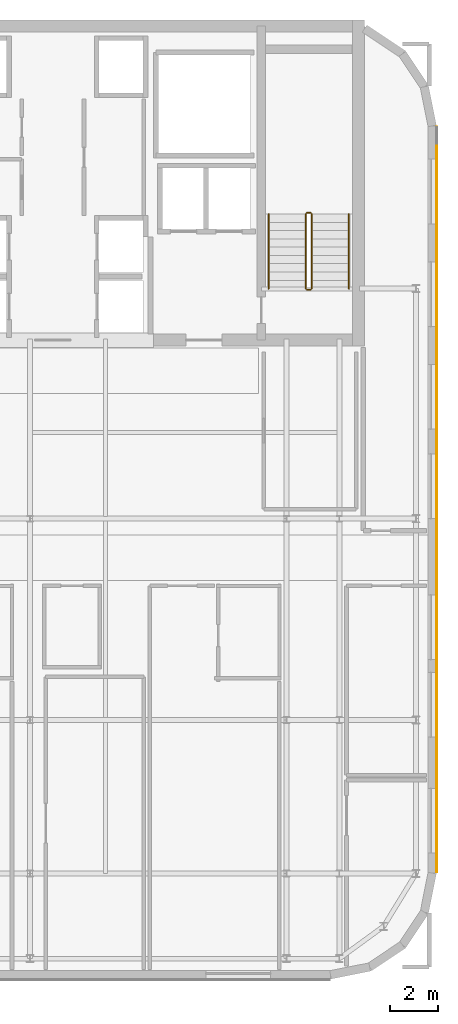
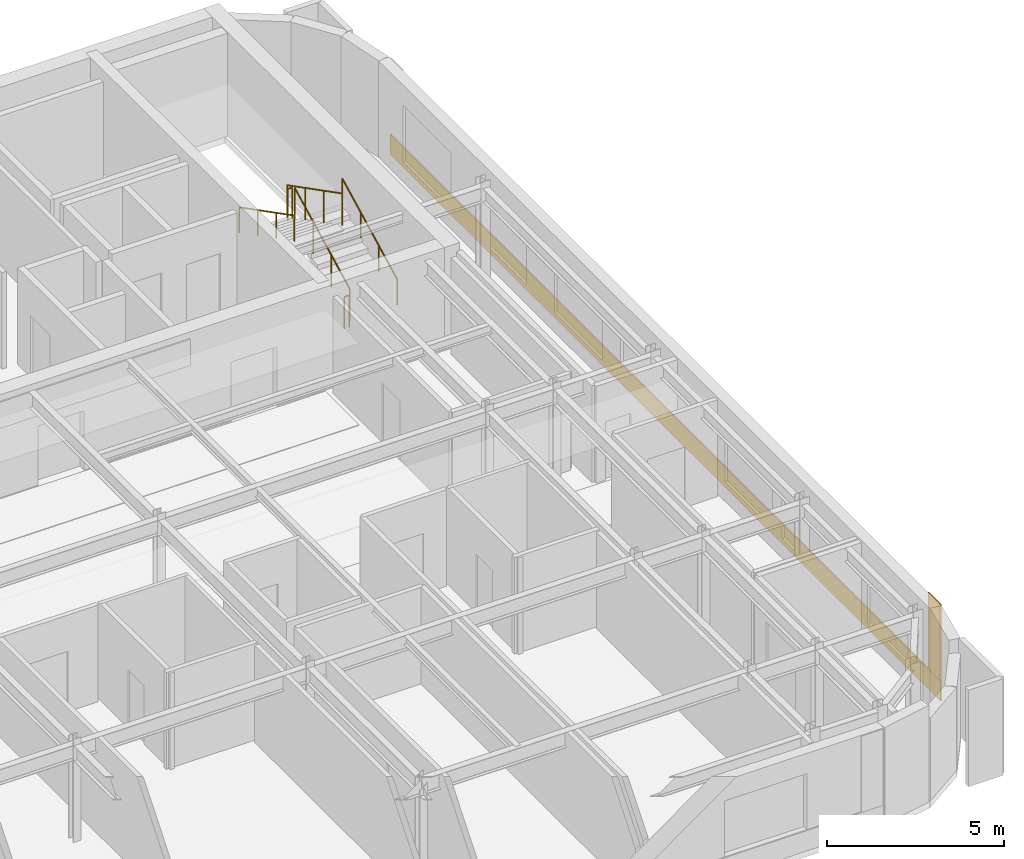
# One storey, part 14 of 15: 6 railings, 2 coverings.
"""IFC4 building model written with IfcOpenShell, lengths in metres."""

import ifcopenshell
import ifcopenshell.guid

model = None  # the IFC model being written
_history = None  # IfcOwnerHistory: only IFC2X3 demands one
_inside = {}  # id of a spatial element -> (the spatial element, [elements in it])
_under = {}  # id of a project, library or spatial element -> (it, [spatial elements below it])
_declared = {}  # id of a project -> (the project, [libraries it declares])
_typed = {}  # id of a type object -> (the type object, [elements of that type])
_made_of = {}  # id of a material, layer set ... -> (it, [elements and type objects made of it])


def new_model(schema):
    """Start an empty IFC model of exactly this schema.

    Asked for "IFC4X3", IfcOpenShell would pick the latest addendum, in which some entities
    have other attributes; the version numbers below select the first issue.
    IFC2X3 requires an IfcOwnerHistory on every rooted entity: one is made here for all.
    """
    global model, _history
    if schema == "IFC4X3":
        model = ifcopenshell.file(schema_version=(4, 3, 0, 0))
    else:
        model = ifcopenshell.file(schema=schema)
    _inside.clear()
    _under.clear()
    _declared.clear()
    _typed.clear()
    _made_of.clear()
    _history = None
    if model.schema == "IFC2X3":
        org = make("IfcOrganization", Name="unknown")
        user = make(
            "IfcPersonAndOrganization",
            ThePerson=make("IfcPerson", FamilyName="unknown"),
            TheOrganization=org,
        )
        app = make(
            "IfcApplication",
            ApplicationDeveloper=org,
            Version="unknown",
            ApplicationFullName="unknown",
            ApplicationIdentifier="unknown",
        )
        _history = make(
            "IfcOwnerHistory",
            OwningUser=user,
            OwningApplication=app,
            ChangeAction="ADDED",
            CreationDate=0,
        )
    return model


def make(cls, **values):
    """One entity of the class cls with the attributes given. An attribute that is None is left unset."""
    return model.create_entity(
        cls, **{name: value for name, value in values.items() if value is not None}
    )


def rooted(cls, **values):
    """An entity with a GlobalId (a new one), such as an element, a storey or a relation."""
    return make(cls, GlobalId=ifcopenshell.guid.new(), OwnerHistory=_history, **values)


def si_unit(unit_type, name, prefix=None):
    """IfcSIUnit, for example si_unit("LENGTHUNIT", "METRE", prefix="MILLI")."""
    return make("IfcSIUnit", UnitType=unit_type, Prefix=prefix, Name=name)


def assignment(units):
    """IfcUnitAssignment: the units of a project."""
    return None if units is None else make("IfcUnitAssignment", Units=units)


def point(xyz):
    """IfcCartesianPoint."""
    return None if xyz is None else make("IfcCartesianPoint", Coordinates=xyz)


def direction(xyz):
    """IfcDirection."""
    return None if xyz is None else make("IfcDirection", DirectionRatios=xyz)


def frame(location, z_axis=None, x_axis=None):
    """IfcAxis2Placement3D, a coordinate frame: its origin and axes. An axis left out is left unset."""
    return make(
        "IfcAxis2Placement3D",
        Location=point(location),
        Axis=direction(z_axis),
        RefDirection=direction(x_axis),
    )


def frame_2d(location, x_axis=None):
    """IfcAxis2Placement2D, a coordinate frame in the plane: its origin and x axis."""
    return make(
        "IfcAxis2Placement2D", Location=point(location), RefDirection=direction(x_axis)
    )


def origin():
    """The frame at (0, 0, 0) with its axes left unset."""
    return frame((0.0, 0.0, 0.0))


def origin_2d():
    """The frame at (0, 0) in the plane with its x axis left unset."""
    return frame_2d((0.0, 0.0))


def place(relative_to, where):
    """IfcLocalPlacement: puts the frame where relative to a parent placement (None: the world)."""
    return make(
        "IfcLocalPlacement", PlacementRelTo=relative_to, RelativePlacement=where
    )


def context(
    kind, dimensions, precision=None, world=None, true_north=None, identifier=None
):
    """IfcGeometricRepresentationContext, for example the 3D "Model" context."""
    return make(
        "IfcGeometricRepresentationContext",
        ContextIdentifier=identifier,
        ContextType=kind,
        CoordinateSpaceDimension=dimensions,
        Precision=precision,
        WorldCoordinateSystem=world,
        TrueNorth=true_north,
    )


def subcontext(parent, identifier, kind, view, scale=None):
    """IfcGeometricRepresentationSubContext, for example "Body" below "Model"."""
    return make(
        "IfcGeometricRepresentationSubContext",
        ContextIdentifier=identifier,
        ContextType=kind,
        ParentContext=parent,
        TargetScale=scale,
        TargetView=view,
    )


def project(units=None, contexts=None):
    """IfcProject with its units and contexts."""
    return rooted(
        "IfcProject",
        Name="project",
        RepresentationContexts=contexts,
        UnitsInContext=assignment(units),
    )


def spatial(cls, under=None, at=None, **own):
    """A site, building, storey or space (cls), placed at a placement, below another one or the project."""
    s = rooted(cls, ObjectPlacement=at, **own)
    if under is not None:
        _under.setdefault(under.id(), (under, []))[1].append(s)
    return s


def polyline(points):
    """IfcPolyline through the points."""
    return make("IfcPolyline", Points=[point(p) for p in points])


def profile(cls, at=None, kind="AREA", **sizes):
    """A parametric profile (cls). Its sizes go by their IFC names, for example OverallWidth=200.0."""
    return make(cls, ProfileType=kind, Position=at, **sizes)


def circle(**sizes):
    """IfcCircleProfileDef."""
    return profile("IfcCircleProfileDef", **sizes)


def outline(outer, holes=None, kind="AREA"):
    """IfcArbitraryClosedProfileDef: a profile drawn as a closed curve; with holes, ...WithVoids."""
    if holes is None:
        return make("IfcArbitraryClosedProfileDef", ProfileType=kind, OuterCurve=outer)
    return make(
        "IfcArbitraryProfileDefWithVoids",
        ProfileType=kind,
        OuterCurve=outer,
        InnerCurves=holes,
    )


def extrude(swept, where, along, depth):
    """IfcExtrudedAreaSolid: the profile swept, set in the frame where, extruded along a direction by depth."""
    return make(
        "IfcExtrudedAreaSolid",
        SweptArea=swept,
        Position=where,
        ExtrudedDirection=direction(along),
        Depth=depth,
    )


def shape(context_of_items, identifier, shape_type, items):
    """IfcShapeRepresentation: the items that make up one representation, for example the "Body"."""
    return make(
        "IfcShapeRepresentation",
        ContextOfItems=context_of_items,
        RepresentationIdentifier=identifier,
        RepresentationType=shape_type,
        Items=items,
    )


def material(Name=None, Category=None):
    """IfcMaterial."""
    return make("IfcMaterial", Name=Name, Category=Category)


def layer(
    of_material, thickness, ventilated=None, Name=None, Category=None, Priority=None
):
    """IfcMaterialLayer: one layer of a wall or slab, of a material (None: an air gap)."""
    return make(
        "IfcMaterialLayer",
        Material=of_material,
        LayerThickness=thickness,
        IsVentilated=ventilated,
        Name=Name,
        Category=Category,
        Priority=Priority,
    )


def layer_set(layers, Name=None):
    """IfcMaterialLayerSet."""
    return make("IfcMaterialLayerSet", MaterialLayers=layers, LayerSetName=Name)


def made_of(thing, what):
    """Note that an element or type object is made of a material, layer set ...; save() writes the relation."""
    if what is not None:
        _made_of.setdefault(what.id(), (what, []))[1].append(thing)
    return thing


def type_object(cls, material=None, **own):
    """A type object (cls), such as IfcWallType, which elements share."""
    return made_of(rooted(cls, **own), material)


def element(
    cls,
    number,
    at=None,
    inside=None,
    cuts=None,
    type_object=None,
    material=None,
    context=None,
    identifier="Body",
    shape_type=None,
    held_by="IfcProductDefinitionShape",
    body=None,
    shapes=None,
    **own,
):
    """One element of the class cls, such as IfcWall. Its Tag is "e" and its number.

    at: its placement. inside: the storey or other place that contains it. cuts: it is an
    opening in that element (IfcRelVoidsElement). A single representation is given by context,
    identifier, shape_type and body (its items); several are given by shapes. held_by: the class
    of the entity that holds the representations. save() writes the other relations.
    """
    e = rooted(cls, Tag="e%d" % number, ObjectPlacement=at, **own)
    if body is not None:
        shapes = [shape(context, identifier, shape_type, body)]
    if shapes is not None:
        e.Representation = make(held_by, Representations=shapes)
    if inside is not None:
        _inside.setdefault(inside.id(), (inside, []))[1].append(e)
    if cuts is not None:
        rooted(
            "IfcRelVoidsElement", RelatingBuildingElement=cuts, RelatedOpeningElement=e
        )
    if type_object is not None:
        _typed.setdefault(type_object.id(), (type_object, []))[1].append(e)
    return made_of(e, material)


def aggregate(whole, parts):
    """IfcRelAggregates: a whole, such as a stair, and the parts it consists of."""
    return rooted("IfcRelAggregates", RelatingObject=whole, RelatedObjects=parts)


def save(model, path):
    """Write the relations noted so far, then the file.

    IfcRelAggregates (storeys below a building ...), IfcRelContainedInSpatialStructure (elements
    in a storey), IfcRelDefinesByType, IfcRelAssociatesMaterial and IfcRelDeclares: one each for
    every whole, place, type object, material and project.
    """
    for whole, parts in _under.values():
        aggregate(whole, parts)
    for where, things in _inside.values():
        rooted(
            "IfcRelContainedInSpatialStructure",
            RelatedElements=things,
            RelatingStructure=where,
        )
    for kind, things in _typed.values():
        rooted("IfcRelDefinesByType", RelatedObjects=things, RelatingType=kind)
    for what, things in _made_of.values():
        rooted("IfcRelAssociatesMaterial", RelatedObjects=things, RelatingMaterial=what)
    for by, libraries in _declared.values():
        rooted("IfcRelDeclares", RelatingContext=by, RelatedDefinitions=libraries)
    model.write(path)


model = new_model("IFC4")

# Units and contexts
model_context = context("Model", 3, precision=1e-05, world=origin(), true_north=direction((0.0, 1.0)))
body_context = subcontext(model_context, "Body", "Model", "MODEL_VIEW")
ifc_project = project(units=[si_unit("LENGTHUNIT", "METRE"), si_unit("AREAUNIT", "SQUARE_METRE"), si_unit("VOLUMEUNIT", "CUBIC_METRE"), si_unit("PLANEANGLEUNIT", "RADIAN"), si_unit("MASSUNIT", "GRAM", prefix="KILO")], contexts=[model_context])

# Site, building, storey
site_placement = place(None, origin())
site = spatial("IfcSite", under=ifc_project, at=site_placement, CompositionType="ELEMENT")
building_placement = place(site_placement, origin())
building = spatial("IfcBuilding", under=site, at=building_placement, Name="Tolvann Quenvar Hotel", CompositionType="ELEMENT")
storey_placement = place(building_placement, frame((0.0, 0.0, 278.60009765625)))
storey = spatial("IfcBuildingStorey", under=building, at=storey_placement, Name="L74", CompositionType="ELEMENT", Elevation=278.60009765625)

# Coverings
ifc_material_1 = material(Name="Kiln-fired red architectural face brick cladding", Category="masonry")
ifc_layer_1 = layer(ifc_material_1, 0.0400390625)
ifc_layer_set_1 = layer_set([ifc_layer_1], Name="Kiln-fired red architectural face brick cladding")
covering_type_1 = type_object("IfcCoveringType", Name="COV_CLAD_BRICK_40", PredefinedType="CLADDING", material=ifc_layer_set_1)
covering_1_placement = place(storey_placement, frame((0.0, 0.0, 0.699951171875)))
element("IfcCovering", 1, at=covering_1_placement, inside=storey, type_object=covering_type_1, Name="Brick Pier Cladding (L74-E09-P1)", PredefinedType="CLADDING", context=body_context, shape_type="SweptSolid", body=[
    extrude(outline(polyline([(39.0, 9.667236328125), (39.0, 10.3671875), (39.0400390625, 10.3671875), (39.0400390625, 9.667236328125), (39.0, 9.667236328125)])), origin(), (0.0, 0.0, 1.0), 2.6298828125),
])
ifc_material_2 = material(Name="Moulded buff architectural terracotta spandrel cladding", Category="masonry")
ifc_layer_2 = layer(ifc_material_2, 0.0400390625)
ifc_layer_set_2 = layer_set([ifc_layer_2], Name="Moulded buff architectural terracotta spandrel cladding")
covering_type_2 = type_object("IfcCoveringType", Name="COV_CLAD_TERRA_40", PredefinedType="CLADDING", material=ifc_layer_set_2)
covering_2_placement = place(storey_placement, origin())
element("IfcCovering", 2, at=covering_2_placement, inside=storey, type_object=covering_type_2, Name="Terracotta Spandrel Cladding (L74-E09)", PredefinedType="CLADDING", context=body_context, shape_type="SweptSolid", body=[
    extrude(outline(polyline([(39.0, 9.6572265625), (39.0, 40.742919921875), (39.0400390625, 40.742919921875), (39.0400390625, 9.6572265625), (39.0, 9.6572265625)])), origin(), (0.0, 0.0, 1.0), 0.699951171875),
])

# Railings
ifc_material_3 = material(Name="Brushed 316 stainless steel balustrade and handrail", Category="steel")
railing_type_1 = type_object("IfcRailingType", Name="GUARDRAIL", PredefinedType="GUARDRAIL", material=ifc_material_3)
railing_1_placement = place(storey_placement, frame((33.800048828125, 34.0, 0.177490234375)))
element("IfcRailing", 3, at=railing_1_placement, inside=storey, type_object=railing_type_1, Name="L74 ST-C2 stair guard 1", PredefinedType="GUARDRAIL", context=body_context, shape_type="SweptSolid", body=[
    extrude(circle(Radius=0.02392578125, at=origin_2d()), frame((0.0, 0.0, 1.09619140625), z_axis=(0.0, 0.889221982265, 0.45747597342), x_axis=(-1.0, 0.0, 0.0)), (0.0, 0.0, 1.0), 3.49169921875),
    extrude(circle(Radius=0.02099609375, at=origin_2d()), origin(), (0.0, 0.0, 1.0), 1.072021484375),
    extrude(circle(Radius=0.02099609375, at=origin_2d()), frame((0.0, 1.034912109375, 0.532470703125)), (0.0, 0.0, 1.0), 1.072021484375),
    extrude(circle(Radius=0.02099609375, at=origin_2d()), frame((0.0, 2.070068359375, 1.06494140625)), (0.0, 0.0, 1.0), 1.072021484375),
    extrude(circle(Radius=0.02099609375, at=origin_2d()), frame((0.0, 3.10498046875, 1.597412109375)), (0.0, 0.0, 1.0), 1.072021484375),
])
railing_2_placement = place(storey_placement, frame((33.75, 37.155029296875, 1.77490234375)))
element("IfcRailing", 4, at=railing_2_placement, inside=storey, type_object=railing_type_1, Name="L74 ST-C2 stair guard 2", PredefinedType="GUARDRAIL", context=body_context, shape_type="SweptSolid", body=[
    extrude(circle(Radius=0.02392578125, at=origin_2d()), frame((0.0, 0.0, 1.09619140625), z_axis=(-1.0, 0.0, 0.0), x_axis=(0.0, -1.0, 0.0)), (0.0, 0.0, 1.0), 0.14990234375),
    extrude(circle(Radius=0.02099609375, at=origin_2d()), origin(), (0.0, 0.0, 1.0), 1.072021484375),
    extrude(circle(Radius=0.02099609375, at=origin_2d()), frame((-0.14990234375, 0.0, 0.0)), (0.0, 0.0, 1.0), 1.072021484375),
])
railing_3_placement = place(storey_placement, frame((33.550048828125, 37.10498046875, 1.952392578125)))
element("IfcRailing", 5, at=railing_3_placement, inside=storey, type_object=railing_type_1, Name="L74 ST-C2 stair guard 3", PredefinedType="GUARDRAIL", context=body_context, shape_type="SweptSolid", body=[
    extrude(circle(Radius=0.02392578125, at=origin_2d()), frame((0.0, 0.0, 1.09619140625), z_axis=(0.0, -0.889221982265, 0.45747597342), x_axis=(1.0, 0.0, 0.0)), (0.0, 0.0, 1.0), 3.49169921875),
    extrude(circle(Radius=0.02099609375, at=origin_2d()), origin(), (0.0, 0.0, 1.0), 1.072021484375),
    extrude(circle(Radius=0.02099609375, at=origin_2d()), frame((0.0, -1.034912109375, 0.532470703125)), (0.0, 0.0, 1.0), 1.072021484375),
    extrude(circle(Radius=0.02099609375, at=origin_2d()), frame((0.0, -2.070068359375, 1.06494140625)), (0.0, 0.0, 1.0), 1.072021484375),
    extrude(circle(Radius=0.02099609375, at=origin_2d()), frame((0.0, -3.10498046875, 1.597412109375)), (0.0, 0.0, 1.0), 1.072021484375),
])
railing_4_placement = place(storey_placement, frame((33.75, 33.949951171875, 0.0)))
element("IfcRailing", 6, at=railing_4_placement, inside=storey, type_object=railing_type_1, Name="L74 ST-C2 stair guard 4", PredefinedType="GUARDRAIL", context=body_context, shape_type="SweptSolid", body=[
    extrude(circle(Radius=0.02392578125, at=origin_2d()), frame((0.0, 0.0, 1.09619140625), z_axis=(-1.0, 0.0, 0.0), x_axis=(0.0, -1.0, 0.0)), (0.0, 0.0, 1.0), 0.14990234375),
    extrude(circle(Radius=0.02099609375, at=origin_2d()), origin(), (0.0, 0.0, 1.0), 1.072021484375),
    extrude(circle(Radius=0.02099609375, at=origin_2d()), frame((-0.14990234375, 0.0, 0.0)), (0.0, 0.0, 1.0), 1.072021484375),
])
railing_type_2 = type_object("IfcRailingType", Name="HANDRAIL", PredefinedType="HANDRAIL", material=ifc_material_3)
railing_5_placement = place(storey_placement, frame((35.35009765625, 34.0, 0.177490234375)))
element("IfcRailing", 7, at=railing_5_placement, inside=storey, type_object=railing_type_2, Name="L74 ST-C2 stair handrail 1", PredefinedType="HANDRAIL", context=body_context, shape_type="SweptSolid", body=[
    extrude(circle(Radius=0.02392578125, at=origin_2d()), frame((0.0, 0.0, 0.8759765625), z_axis=(0.0, 0.889221982265, 0.45747597342), x_axis=(-1.0, 0.0, 0.0)), (0.0, 0.0, 1.0), 3.49169921875),
    extrude(circle(Radius=0.02099609375, at=origin_2d()), origin(), (0.0, 0.0, 1.0), 0.851806640625),
    extrude(circle(Radius=0.02099609375, at=origin_2d()), frame((0.0, 1.034912109375, 0.532470703125)), (0.0, 0.0, 1.0), 0.851806640625),
    extrude(circle(Radius=0.02099609375, at=origin_2d()), frame((0.0, 2.070068359375, 1.06494140625)), (0.0, 0.0, 1.0), 0.851806640625),
    extrude(circle(Radius=0.02099609375, at=origin_2d()), frame((0.0, 3.10498046875, 1.597412109375)), (0.0, 0.0, 1.0), 0.851806640625),
])
railing_6_placement = place(storey_placement, frame((32.0, 37.10498046875, 1.952392578125)))
element("IfcRailing", 8, at=railing_6_placement, inside=storey, type_object=railing_type_2, Name="L74 ST-C2 stair handrail 2", PredefinedType="HANDRAIL", context=body_context, shape_type="SweptSolid", body=[
    extrude(circle(Radius=0.02392578125, at=origin_2d()), frame((0.0, 0.0, 0.8759765625), z_axis=(0.0, -0.889221982265, 0.45747597342), x_axis=(1.0, 0.0, 0.0)), (0.0, 0.0, 1.0), 3.49169921875),
    extrude(circle(Radius=0.02099609375, at=origin_2d()), origin(), (0.0, 0.0, 1.0), 0.851806640625),
    extrude(circle(Radius=0.02099609375, at=origin_2d()), frame((0.0, -1.034912109375, 0.532470703125)), (0.0, 0.0, 1.0), 0.851806640625),
    extrude(circle(Radius=0.02099609375, at=origin_2d()), frame((0.0, -2.070068359375, 1.06494140625)), (0.0, 0.0, 1.0), 0.851806640625),
    extrude(circle(Radius=0.02099609375, at=origin_2d()), frame((0.0, -3.10498046875, 1.597412109375)), (0.0, 0.0, 1.0), 0.851806640625),
])

save(model, "model.ifc")
